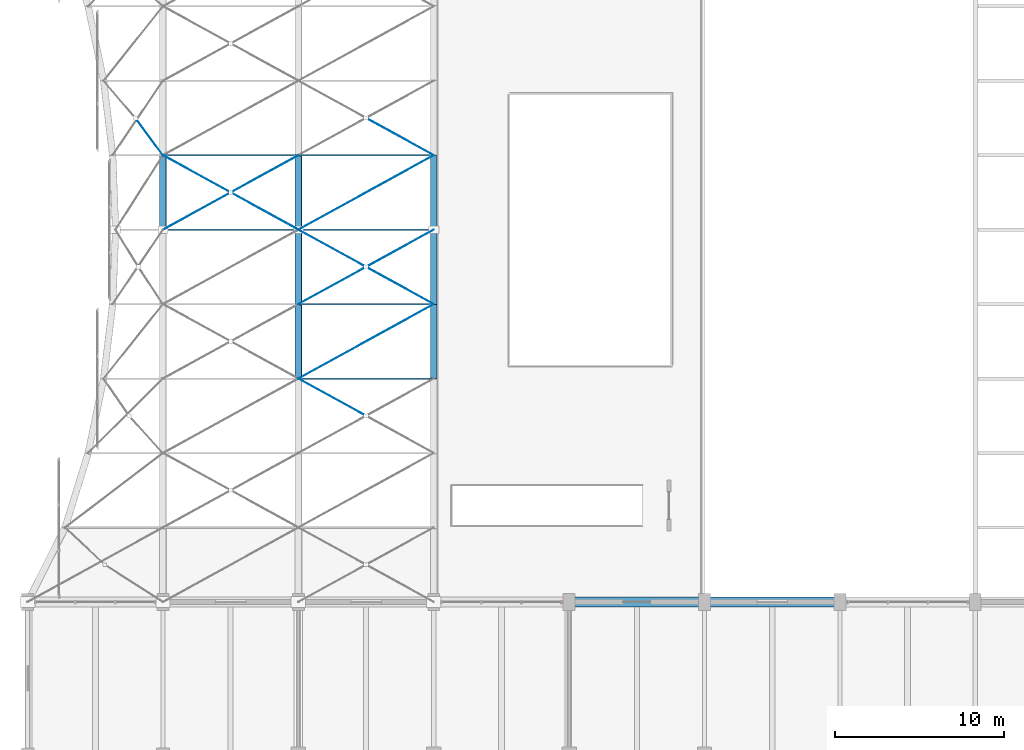
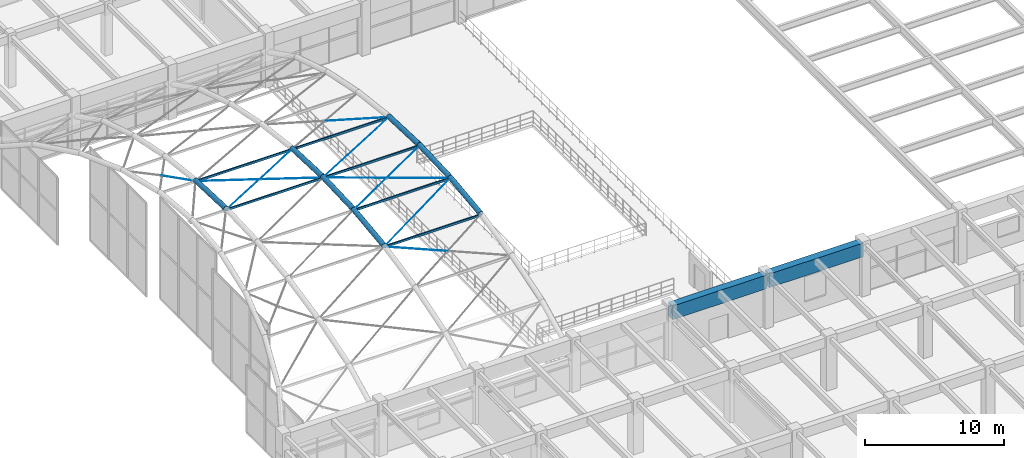
# One storey, part 15 of 144: 15 beams, 11 members.
"""IFC4 building model written with IfcOpenShell, lengths in metres."""

from ifc_helpers import new_model, si_unit, direction, frame, origin, origin_2d, place, context, subcontext, project, spatial, rectangle, hollow_rectangle, circle, hollow_circle, extrude, material, material_profile, profile_set, type_object, element, save


model = new_model("IFC4")

# Units and contexts
model_context = context("Model", 3, precision=1e-05, world=origin(), true_north=direction((0.0, 1.0)))
body_context = subcontext(model_context, "Body", "Model", "MODEL_VIEW")
ifc_project = project(units=[si_unit("LENGTHUNIT", "METRE"), si_unit("AREAUNIT", "SQUARE_METRE"), si_unit("VOLUMEUNIT", "CUBIC_METRE"), si_unit("PLANEANGLEUNIT", "RADIAN"), si_unit("MASSUNIT", "GRAM", prefix="KILO")], contexts=[model_context])

# Site, building, storey
site_placement = place(None, origin())
site = spatial("IfcSite", under=ifc_project, at=site_placement, CompositionType="ELEMENT")
building_placement = place(site_placement, origin())
building = spatial("IfcBuilding", under=site, at=building_placement, Name="Varnabhumi Central Station", CompositionType="ELEMENT")
storey_placement = place(building_placement, frame((0.0, 0.0, 4.800048828125)))
storey = spatial("IfcBuildingStorey", under=building, at=storey_placement, Name="L01", CompositionType="ELEMENT", Elevation=4.800048828125)

# Beams
ifc_material_1 = material(Name="Structural steel E350", Category="steel")
ifc_material_profile_1 = material_profile(ifc_material_1, hollow_circle(Radius=0.203125, WallThickness=0.01611328125, at=origin_2d()), Name="Structural steel E350", Category="steel")
ifc_profile_set_1 = profile_set([ifc_material_profile_1], Name="Structural steel E350")
beam_type_1 = type_object("IfcBeamType", Name="BM-ARCH-CHS406", PredefinedType="BEAM", material=ifc_profile_set_1)
beam_1_placement = place(storey_placement, frame((8.0, 58.0, 8.0), z_axis=(0.0, 0.999205116003, -0.039863970614), x_axis=(-1.0, 0.0, 0.0)))
element("IfcBeam", 1, at=beam_1_placement, inside=storey, type_object=beam_type_1, Name="Forecourt Arrival Canopy Vault Arch Rib 2 Seg 6", PredefinedType="BEAM", context=body_context, shape_type="SweptSolid", body=[
    extrude(hollow_circle(Radius=0.203125, WallThickness=0.01611328125, at=origin_2d()), origin(), (0.0, 0.0, 1.0), 4.4033203125),
])
beam_2_placement = place(storey_placement, frame((16.0, 49.199951171875, 7.291259765625), z_axis=(0.0, 0.992737769305, 0.120298467967), x_axis=(-1.0, 0.0, 0.0)))
element("IfcBeam", 2, at=beam_2_placement, inside=storey, type_object=beam_type_1, Name="Forecourt Arrival Canopy Vault Arch Rib 3 Seg 4", PredefinedType="BEAM", context=body_context, shape_type="SweptSolid", body=[
    extrude(hollow_circle(Radius=0.203125, WallThickness=0.01611328125, at=origin_2d()), origin(), (0.0, 0.0, 1.0), 4.432373046875),
])
for number, where, z_axis, x_axis, name in (
    (3, (16.0, 53.60009765625, 7.824462890625), (0.0, 0.999205116003, 0.039863970614), (-1.0, 0.0, 0.0), "Forecourt Arrival Canopy Vault Arch Rib 3 Seg 5"),
    (4, (16.0, 58.0, 8.0), (0.0, 0.999205116003, -0.039863970614), (-1.0, 0.0, 0.0), "Forecourt Arrival Canopy Vault Arch Rib 3 Seg 6"),
):
    element("IfcBeam", number, at=place(storey_placement, frame(where, z_axis=z_axis, x_axis=x_axis)), inside=storey, type_object=beam_type_1, Name=name, PredefinedType="BEAM", context=body_context, shape_type="SweptSolid", body=[
        extrude(hollow_circle(Radius=0.203125, WallThickness=0.01611328125, at=origin_2d()), origin(), (0.0, 0.0, 1.0), 4.4033203125),
    ])
beam_3_placement = place(storey_placement, frame((24.0, 49.199951171875, 7.291259765625), z_axis=(0.0, 0.992737769305, 0.120298467967), x_axis=(-1.0, 0.0, 0.0)))
element("IfcBeam", 5, at=beam_3_placement, inside=storey, type_object=beam_type_1, Name="Forecourt Arrival Canopy Vault Arch Rib 4 Seg 4", PredefinedType="BEAM", context=body_context, shape_type="SweptSolid", body=[
    extrude(hollow_circle(Radius=0.203125, WallThickness=0.01611328125, at=origin_2d()), origin(), (0.0, 0.0, 1.0), 4.432373046875),
])
for number, where, z_axis, x_axis, name in (
    (6, (24.0, 53.60009765625, 7.824462890625), (0.0, 0.999205116003, 0.039863970614), (-1.0, 0.0, 0.0), "Forecourt Arrival Canopy Vault Arch Rib 4 Seg 5"),
    (7, (24.0, 58.0, 8.0), (0.0, 0.999205116003, -0.039863970614), (-1.0, 0.0, 0.0), "Forecourt Arrival Canopy Vault Arch Rib 4 Seg 6"),
):
    element("IfcBeam", number, at=place(storey_placement, frame(where, z_axis=z_axis, x_axis=x_axis)), inside=storey, type_object=beam_type_1, Name=name, PredefinedType="BEAM", context=body_context, shape_type="SweptSolid", body=[
        extrude(hollow_circle(Radius=0.203125, WallThickness=0.01611328125, at=origin_2d()), origin(), (0.0, 0.0, 1.0), 4.4033203125),
    ])
ifc_material_profile_2 = material_profile(ifc_material_1, hollow_rectangle(XDim=0.10009765625, YDim=0.199951171875, WallThickness=0.008056640625, InnerFilletRadius=0.008056640625, OuterFilletRadius=0.01611328125, at=origin_2d()), Name="Structural steel E350", Category="steel")
ifc_profile_set_2 = profile_set([ifc_material_profile_2], Name="Structural steel E350")
beam_type_2 = type_object("IfcBeamType", Name="BM-PUR-RHS200", PredefinedType="JOIST", material=ifc_profile_set_2)
for number, where, z_axis, x_axis, name in (
    (8, (8.0, 58.0, 7.89990234375), (1.0, 0.0, 0.0), (0.0, 1.0, 0.0), "Forecourt Arrival Canopy Vault Purlin B2-L5"),
    (9, (8.0, 62.39990234375, 7.724365234375), (1.0, 0.0, 0.0), (0.0, 1.0, 0.0), "Forecourt Arrival Canopy Vault Purlin B2-L6"),
    (10, (16.0, 49.199951171875, 7.19140625), (1.0, 0.0, 0.0), (0.0, 1.0, 0.0), "Forecourt Arrival Canopy Vault Purlin B3-L3"),
    (11, (16.0, 53.60009765625, 7.724365234375), (1.0, 0.0, 0.0), (0.0, 1.0, 0.0), "Forecourt Arrival Canopy Vault Purlin B3-L4"),
    (12, (16.0, 58.0, 7.89990234375), (1.0, 0.0, 0.0), (0.0, 1.0, 0.0), "Forecourt Arrival Canopy Vault Purlin B3-L5"),
    (13, (16.0, 62.39990234375, 7.724365234375), (1.0, 0.0, 0.0), (0.0, 1.0, 0.0), "Forecourt Arrival Canopy Vault Purlin B3-L6"),
):
    element("IfcBeam", number, at=place(storey_placement, frame(where, z_axis=z_axis, x_axis=x_axis)), inside=storey, type_object=beam_type_2, Name=name, PredefinedType="JOIST", context=body_context, shape_type="SweptSolid", body=[
        extrude(hollow_rectangle(XDim=0.10009765625, YDim=0.199951171875, WallThickness=0.008056640625, InnerFilletRadius=0.008056640625, OuterFilletRadius=0.01611328125, at=origin_2d()), origin(), (0.0, 0.0, 1.0), 8.0),
    ])
ifc_material_2 = material(Name="Concrete M50", Category="concrete")
ifc_material_profile_3 = material_profile(ifc_material_2, rectangle(XDim=0.60009765625, YDim=1.199951171875, at=origin_2d()), Name="Concrete M50", Category="concrete")
ifc_profile_set_3 = profile_set([ifc_material_profile_3], Name="Concrete M50")
beam_type_3 = type_object("IfcBeamType", Name="BM-RC-1200x600", PredefinedType="BEAM", material=ifc_profile_set_3)
for number, where, z_axis, x_axis, name in (
    (14, (32.10009765625, 36.0, 3.949951171875), (1.0, 0.0, 0.0), (0.0, 1.0, 0.0), "Beam L01-E:5-6"),
    (15, (40.10009765625, 36.0, 3.949951171875), (1.0, 0.0, 0.0), (0.0, 1.0, 0.0), "Beam L01-E:6-7"),
):
    element("IfcBeam", number, at=place(storey_placement, frame(where, z_axis=z_axis, x_axis=x_axis)), inside=storey, type_object=beam_type_3, Name=name, PredefinedType="BEAM", context=body_context, shape_type="SweptSolid", body=[
        extrude(rectangle(XDim=0.60009765625, YDim=1.199951171875, at=origin_2d()), origin(), (0.0, 0.0, 1.0), 7.7998046875),
    ])

# Members
ifc_material_3 = material(Name="Spiral-strand steel S1570", Category="steel")
ifc_material_profile_4 = material_profile(ifc_material_3, circle(Radius=0.013916015625, at=origin_2d()), Name="Spiral-strand steel S1570", Category="steel")
ifc_profile_set_4 = profile_set([ifc_material_profile_4], Name="Spiral-strand steel S1570")
member_type = type_object("IfcMemberType", Name="MBR-CABLE-D28", PredefinedType="USERDEFINED", material=ifc_profile_set_4)
member_1_placement = place(storey_placement, frame((6.37890625, 64.60009765625, 7.477783203125), z_axis=(0.590372191725, -0.801270209613, 0.097091330326), x_axis=(0.805073799921, 0.593174659507, 0.0)))
element("IfcMember", 16, at=member_1_placement, inside=storey, type_object=member_type, Name="Forecourt Arrival Canopy Vault Cable-Net Split Tie B1-P7B2", ObjectType="TENSION CABLE", PredefinedType="USERDEFINED", context=body_context, shape_type="SweptSolid", body=[
    extrude(circle(Radius=0.013916015625, at=origin_2d()), origin(), (0.0, 0.0, 1.0), 2.745849609375),
])
member_2_placement = place(storey_placement, frame((8.0, 58.0, 7.919921875), z_axis=(0.876058524905, 0.481821494624, -0.019222597638), x_axis=(-0.481910537812, 0.876220425204, 0.0)))
element("IfcMember", 17, at=member_2_placement, inside=storey, type_object=member_type, Name="Forecourt Arrival Canopy Vault Cable-Net Tie B2-P6A", ObjectType="TENSION CABLE", PredefinedType="USERDEFINED", context=body_context, shape_type="SweptSolid", body=[
    extrude(circle(Radius=0.013916015625, at=origin_2d()), origin(), (0.0, 0.0, 1.0), 9.1318359375),
])
for number, where, z_axis, x_axis, name in (
    (18, (8.0, 62.39990234375, 7.744384765625), (0.876058974816, -0.481821742069, 0.019195872312), (0.481910537812, 0.876220425204, 0.0), "Forecourt Arrival Canopy Vault Cable-Net Split Tie B2-P6B1"),
    (19, (12.0, 60.199951171875, 7.83203125), (0.876058074368, -0.481821246834, 0.019249322923), (0.481910537812, 0.876220425204, 0.0), "Forecourt Arrival Canopy Vault Cable-Net Split Tie B2-P6B2"),
):
    element("IfcMember", number, at=place(storey_placement, frame(where, z_axis=z_axis, x_axis=x_axis)), inside=storey, type_object=member_type, Name=name, ObjectType="TENSION CABLE", PredefinedType="USERDEFINED", context=body_context, shape_type="SweptSolid", body=[
        extrude(circle(Radius=0.013916015625, at=origin_2d()), origin(), (0.0, 0.0, 1.0), 4.56591796875),
    ])
member_3_placement = place(storey_placement, frame((16.0, 49.199951171875, 7.21142578125), z_axis=(0.871861974597, -0.479513443182, -0.099617042019), x_axis=(0.481910537812, 0.876220425204, 0.0)))
element("IfcMember", 20, at=member_3_placement, inside=storey, type_object=member_type, Name="Forecourt Arrival Canopy Vault Cable-Net Split Tie B3-P3B1", ObjectType="TENSION CABLE", PredefinedType="USERDEFINED", context=body_context, shape_type="SweptSolid", body=[
    extrude(circle(Radius=0.013916015625, at=origin_2d()), origin(), (0.0, 0.0, 1.0), 4.587890625),
])
member_4_placement = place(storey_placement, frame((16.0, 49.199951171875, 7.21142578125), z_axis=(0.874720140327, 0.481112093784, 0.0582737447), x_axis=(-0.481931067474, 0.876209133828, 0.0)))
element("IfcMember", 21, at=member_4_placement, inside=storey, type_object=member_type, Name="Forecourt Arrival Canopy Vault Cable-Net Tie B3-P4A", ObjectType="TENSION CABLE", PredefinedType="USERDEFINED", context=body_context, shape_type="SweptSolid", body=[
    extrude(circle(Radius=0.013916015625, at=origin_2d()), origin(), (0.0, 0.0, 1.0), 9.145751953125),
])
member_5_placement = place(storey_placement, frame((16.0, 53.60009765625, 7.744384765625), z_axis=(0.876058524905, 0.481821494624, 0.019222597638), x_axis=(-0.481910537812, 0.876220425204, 0.0)))
element("IfcMember", 22, at=member_5_placement, inside=storey, type_object=member_type, Name="Forecourt Arrival Canopy Vault Cable-Net Tie B3-P5A", ObjectType="TENSION CABLE", PredefinedType="USERDEFINED", context=body_context, shape_type="SweptSolid", body=[
    extrude(circle(Radius=0.013916015625, at=origin_2d()), origin(), (0.0, 0.0, 1.0), 9.1318359375),
])
for number, where, z_axis, x_axis, name in (
    (23, (16.0, 58.0, 7.919921875), (0.876058074368, -0.481821246834, -0.019249322923), (0.481910537812, 0.876220425204, 0.0), "Forecourt Arrival Canopy Vault Cable-Net Split Tie B3-P5B1"),
    (24, (20.0, 55.800048828125, 7.83203125), (0.876058974816, -0.481821742069, -0.019195872312), (0.481910537812, 0.876220425204, 0.0), "Forecourt Arrival Canopy Vault Cable-Net Split Tie B3-P5B2"),
):
    element("IfcMember", number, at=place(storey_placement, frame(where, z_axis=z_axis, x_axis=x_axis)), inside=storey, type_object=member_type, Name=name, ObjectType="TENSION CABLE", PredefinedType="USERDEFINED", context=body_context, shape_type="SweptSolid", body=[
        extrude(circle(Radius=0.013916015625, at=origin_2d()), origin(), (0.0, 0.0, 1.0), 4.56591796875),
    ])
member_6_placement = place(storey_placement, frame((16.0, 58.0, 7.919921875), z_axis=(0.876058524905, 0.481821494624, -0.019222597638), x_axis=(-0.481910537812, 0.876220425204, 0.0)))
element("IfcMember", 25, at=member_6_placement, inside=storey, type_object=member_type, Name="Forecourt Arrival Canopy Vault Cable-Net Tie B3-P6A", ObjectType="TENSION CABLE", PredefinedType="USERDEFINED", context=body_context, shape_type="SweptSolid", body=[
    extrude(circle(Radius=0.013916015625, at=origin_2d()), origin(), (0.0, 0.0, 1.0), 9.1318359375),
])
member_7_placement = place(storey_placement, frame((20.0, 64.60009765625, 7.477783203125), z_axis=(0.874707545275, -0.48113186023, 0.058299599575), x_axis=(0.481951596342, 0.876197842262, 0.0)))
element("IfcMember", 26, at=member_7_placement, inside=storey, type_object=member_type, Name="Forecourt Arrival Canopy Vault Cable-Net Split Tie B3-P7B2", ObjectType="TENSION CABLE", PredefinedType="USERDEFINED", context=body_context, shape_type="SweptSolid", body=[
    extrude(circle(Radius=0.013916015625, at=origin_2d()), origin(), (0.0, 0.0, 1.0), 4.572998046875),
])

save(model, "model.ifc")
